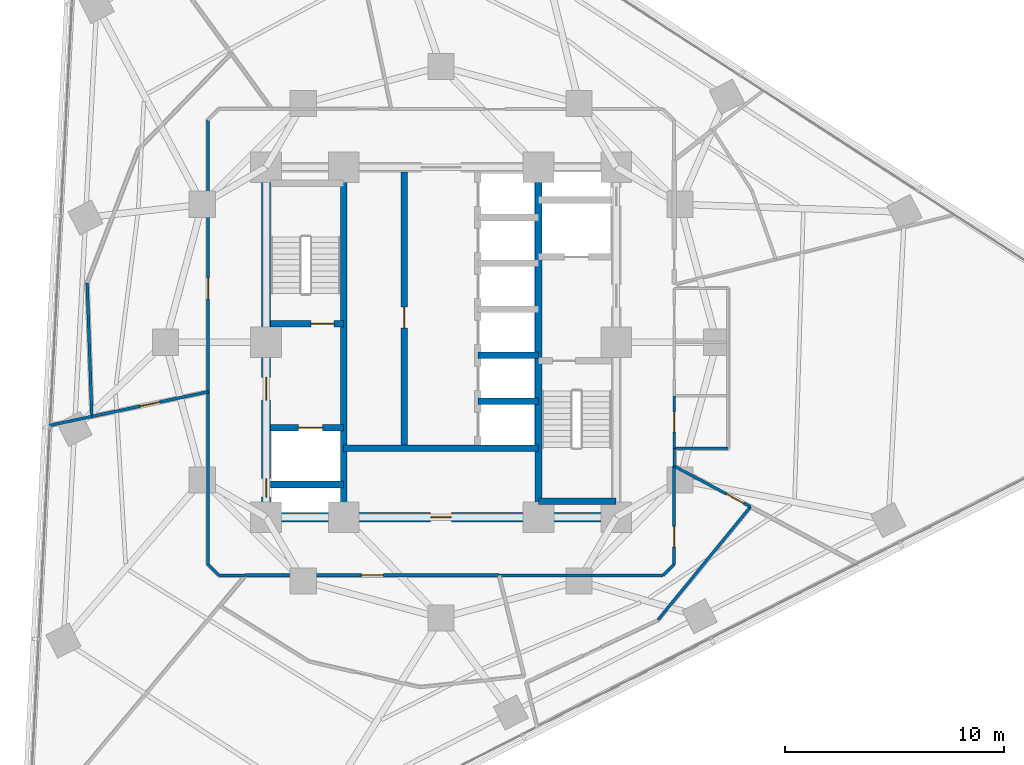
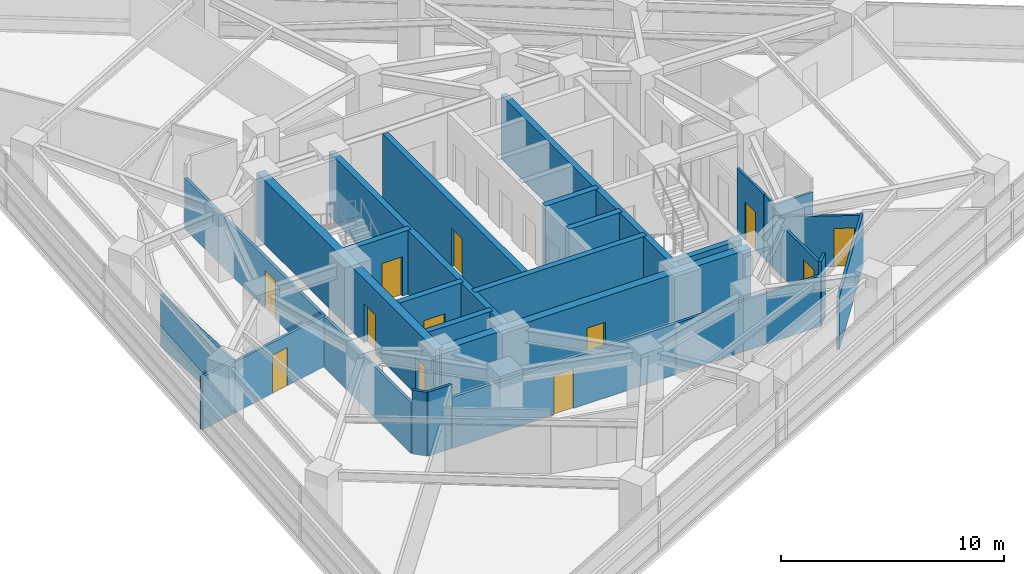
# One storey, part 8 of 14: 28 walls, 12 doors, 12 openings.
"""IFC4 building model written with IfcOpenShell, lengths in metres."""

from ifc_helpers import new_model, si_unit, direction, frame, frame_2d, origin, place, context, subcontext, project, spatial, rectangle, extrude, material, layer, layer_set, type_object, element, fill, save


model = new_model("IFC4")

# Units and contexts
model_context = context("Model", 3, precision=1e-05, world=origin(), true_north=direction((0.0, 1.0)))
body_context = subcontext(model_context, "Body", "Model", "MODEL_VIEW")
ifc_project = project(units=[si_unit("LENGTHUNIT", "METRE"), si_unit("AREAUNIT", "SQUARE_METRE"), si_unit("VOLUMEUNIT", "CUBIC_METRE"), si_unit("PLANEANGLEUNIT", "RADIAN"), si_unit("MASSUNIT", "GRAM", prefix="KILO")], contexts=[model_context])

# Site, building, storey
site_placement = place(None, origin())
site = spatial("IfcSite", under=ifc_project, at=site_placement, CompositionType="ELEMENT")
building_placement = place(site_placement, origin())
building = spatial("IfcBuilding", under=site, at=building_placement, Name="Terralouvre Media Tower", CompositionType="ELEMENT")
storey_placement = place(building_placement, frame((0.0, 0.0, 119.89990234375)))
storey = spatial("IfcBuildingStorey", under=building, at=storey_placement, Name="L30", CompositionType="ELEMENT", Elevation=119.89990234375)

# Walls
ifc_material_1 = material(Name="Concrete C50/60", Category="concrete")
ifc_layer_1 = layer(ifc_material_1, 0.300048828125, Name="Core Internal Shaft Wall CW-300")
ifc_layer_set_1 = layer_set([ifc_layer_1], Name="Concrete C50/60")
wall_type_1 = type_object("IfcWallType", Name="Core Internal Shaft Wall CW-300", PredefinedType="SHEAR", material=ifc_layer_set_1)
for number, where, z_axis, x_axis, name in (
    (1, (-4.449951171875, -7.7900390625, 0.0), (0.0, 0.0, 1.0), (0.0, 1.0, 0.0), "L30 Core Shaft Wall SPW"),
    (2, (4.449951171875, -7.7900390625, 0.0), (0.0, 0.0, 1.0), (0.0, 1.0, 0.0), "L30 Core Shaft Wall SPE"),
):
    element("IfcWall", number, at=place(storey_placement, frame(where, z_axis=z_axis, x_axis=x_axis)), inside=storey, type_object=wall_type_1, Name=name, PredefinedType="SHEAR", context=body_context, shape_type="SweptSolid", body=[
        extrude(rectangle(XDim=15.580078125, YDim=0.300048828125, at=frame_2d((7.7900390625, 0.0))), origin(), (0.0, 0.0, 1.0), 3.5),
    ])

# Wall, opening, door
wall_1_placement = place(storey_placement, frame((-7.7900390625, 0.85009765625, 0.0), z_axis=(0.0, 0.0, 1.0), x_axis=(1.0, 0.0, 0.0)))
wall_1 = element("IfcWall", 3, at=wall_1_placement, inside=storey, type_object=wall_type_1, Name="L30 Core Shaft Wall ST1D", PredefinedType="SHEAR", context=body_context, shape_type="SweptSolid", body=[
    extrude(rectangle(XDim=3.340087890625, YDim=0.300048828125, at=frame_2d((1.669921875, 0.0))), origin(), (0.0, 0.0, 1.0), 3.5),
])
opening_1_placement = place(wall_1_placement, frame((1.85009765625, 0.0, 0.0)))
opening_1 = element("IfcOpeningElement", 4, at=opening_1_placement, cuts=wall_1, Name="Opening FD-01-105X215", PredefinedType="OPENING", context=body_context, shape_type="SweptSolid", body=[
    extrude(rectangle(XDim=1.050048828125, YDim=2.14990234375, at=frame_2d((0.52490234375, 1.074951171875))), frame((0.0, 0.159912109375, 0.0), z_axis=(0.0, -1.0, 0.0), x_axis=(1.0, 0.0, 0.0)), (0.0, 0.0, 1.0), 0.320068359375),
])
ifc_material_2 = material(Name="Galvanised steel fire-resisting leaf", Category="steel")
door_type_1 = type_object("IfcDoorType", Name="Stair and Firefighting Lobby Fire Door FD-01 (1050x2150)", OperationType="NOTDEFINED", PredefinedType="DOOR", material=ifc_material_2)
door_1_placement = place(opening_1_placement, origin())
door_1 = element("IfcDoor", 5, at=door_1_placement, inside=storey, type_object=door_type_1, Name="L30 ST-01 Exit Stair Door", OperationType="SINGLE_SWING_LEFT", OverallHeight=2.14990234375, OverallWidth=1.050048828125, PredefinedType="DOOR", context=body_context, shape_type="SweptSolid", body=[
    extrude(rectangle(XDim=1.050048828125, YDim=2.14990234375, at=frame_2d((0.52490234375, 1.074951171875))), frame((0.0, 0.02490234375, 0.0), z_axis=(0.0, -1.0, 0.0), x_axis=(1.0, 0.0, 0.0)), (0.0, 0.0, 1.0), 0.050048828125),
])
fill(opening_1, door_1)

# Wall
wall_2_placement = place(storey_placement, frame((4.449951171875, -7.260009765625, 0.0), z_axis=(0.0, 0.0, 1.0), x_axis=(1.0, 0.0, 0.0)))
element("IfcWall", 6, at=wall_2_placement, inside=storey, type_object=wall_type_1, Name="L30 Core Shaft Wall ST2F", PredefinedType="SHEAR", context=body_context, shape_type="SweptSolid", body=[
    extrude(rectangle(XDim=3.550048828125, YDim=0.300048828125, at=frame_2d((1.77490234375, 0.0))), origin(), (0.0, 0.0, 1.0), 3.5),
])

# Wall, opening, door
wall_3_placement = place(storey_placement, frame((-7.7900390625, -3.89990234375, 0.0), z_axis=(0.0, 0.0, 1.0), x_axis=(1.0, 0.0, 0.0)))
wall_3 = element("IfcWall", 7, at=wall_3_placement, inside=storey, type_object=wall_type_1, Name="L30 Core Shaft Wall FF1N", PredefinedType="SHEAR", context=body_context, shape_type="SweptSolid", body=[
    extrude(rectangle(XDim=3.340087890625, YDim=0.300048828125, at=frame_2d((1.669921875, 0.0))), origin(), (0.0, 0.0, 1.0), 3.5),
])
opening_2_placement = place(wall_3_placement, frame((1.27001953125, 0.0, 0.0)))
opening_2 = element("IfcOpeningElement", 8, at=opening_2_placement, cuts=wall_3, Name="Opening LD-FF", PredefinedType="OPENING", context=body_context, shape_type="SweptSolid", body=[
    extrude(rectangle(XDim=1.10009765625, YDim=2.10009765625, at=frame_2d((0.550048828125, 1.050048828125))), frame((0.0, 0.159912109375, 0.0), z_axis=(0.0, -1.0, 0.0), x_axis=(1.0, 0.0, 0.0)), (0.0, 0.0, 1.0), 0.320068359375),
])
ifc_material_3 = material(Name="Stainless steel 316 handrail and balustrade", Category="steel")
door_type_2 = type_object("IfcDoorType", Name="Firefighting Lift Sliding Landing Door LD-FF", OperationType="SLIDING_TO_LEFT", PredefinedType="DOOR", material=ifc_material_3)
door_2_placement = place(opening_2_placement, origin())
door_2 = element("IfcDoor", 9, at=door_2_placement, inside=storey, type_object=door_type_2, Name="L30 Firefighting Lift FFL-01 Landing Door", OperationType="SLIDING_TO_LEFT", OverallHeight=2.10009765625, OverallWidth=1.10009765625, PredefinedType="DOOR", context=body_context, shape_type="SweptSolid", body=[
    extrude(rectangle(XDim=1.10009765625, YDim=2.10009765625, at=frame_2d((0.550048828125, 1.050048828125))), frame((0.0, 0.02490234375, 0.0), z_axis=(0.0, -1.0, 0.0), x_axis=(1.0, 0.0, 0.0)), (0.0, 0.0, 1.0), 0.050048828125),
])
fill(opening_2, door_2)

# Walls
wall_4_placement = place(storey_placement, frame((-7.7900390625, -6.5, 0.0), z_axis=(0.0, 0.0, 1.0), x_axis=(1.0, 0.0, 0.0)))
element("IfcWall", 10, at=wall_4_placement, inside=storey, type_object=wall_type_1, Name="L30 Core Shaft Wall FF1S", PredefinedType="SHEAR", context=body_context, shape_type="SweptSolid", body=[
    extrude(rectangle(XDim=3.340087890625, YDim=0.300048828125, at=frame_2d((1.669921875, 0.0))), origin(), (0.0, 0.0, 1.0), 3.5),
])
wall_5_placement = place(storey_placement, frame((-4.449951171875, -4.85009765625, 0.0), z_axis=(0.0, 0.0, 1.0), x_axis=(1.0, 0.0, 0.0)))
element("IfcWall", 11, at=wall_5_placement, inside=storey, type_object=wall_type_1, Name="L30 Core Shaft Wall CSBN", PredefinedType="SHEAR", context=body_context, shape_type="SweptSolid", body=[
    extrude(rectangle(XDim=8.89990234375, YDim=0.300048828125, at=frame_2d((4.449951171875, 0.0))), origin(), (0.0, 0.0, 1.0), 3.5),
])

# Wall, opening, door
wall_6_placement = place(storey_placement, frame((-1.679931640625, -4.85009765625, 0.0), z_axis=(0.0, 0.0, 1.0), x_axis=(0.0, 1.0, 0.0)))
wall_6 = element("IfcWall", 12, at=wall_6_placement, inside=storey, type_object=wall_type_1, Name="L30 Core Shaft Wall LBW", PredefinedType="SHEAR", context=body_context, shape_type="SweptSolid", body=[
    extrude(rectangle(XDim=12.64013671875, YDim=0.300048828125, at=frame_2d((6.320068359375, 0.0))), origin(), (0.0, 0.0, 1.0), 3.5),
])
opening_3_placement = place(wall_6_placement, frame((5.5, 0.0, 0.0)))
opening_3 = element("IfcOpeningElement", 13, at=opening_3_placement, cuts=wall_6, Name="Opening FD-02-95X210", PredefinedType="OPENING", context=body_context, shape_type="SweptSolid", body=[
    extrude(rectangle(XDim=0.949951171875, YDim=2.10009765625, at=frame_2d((0.47509765625, 1.050048828125))), frame((0.0, 0.159912109375, 0.0), z_axis=(0.0, -1.0, 0.0), x_axis=(1.0, 0.0, 0.0)), (0.0, 0.0, 1.0), 0.320068359375),
])
ifc_material_4 = material(Name="Galvanised steel fire-resisting leaf", Category="steel")
door_type_3 = type_object("IfcDoorType", Name="Plant and Riser Fire Door FD-02 (950x2100)", OperationType="NOTDEFINED", PredefinedType="DOOR", material=ifc_material_4)
door_3_placement = place(opening_3_placement, origin())
door_3 = element("IfcDoor", 14, at=door_3_placement, inside=storey, type_object=door_type_3, Name="L30 Low-Zone Hoistway Motor Plant Door", OperationType="SINGLE_SWING_LEFT", OverallHeight=2.10009765625, OverallWidth=0.949951171875, PredefinedType="DOOR", context=body_context, shape_type="SweptSolid", body=[
    extrude(rectangle(XDim=0.949951171875, YDim=2.10009765625, at=frame_2d((0.47509765625, 1.050048828125))), frame((0.0, 0.02490234375, 0.0), z_axis=(0.0, -1.0, 0.0), x_axis=(1.0, 0.0, 0.0)), (0.0, 0.0, 1.0), 0.050048828125),
])
fill(opening_3, door_3)

# Walls
for number, where, z_axis, x_axis, name in (
    (15, (1.679931640625, -2.699951171875, 0.0), (0.0, 0.0, 1.0), (1.0, 0.0, 0.0), "L30 Core Shaft Wall PLHD1"),
    (16, (1.679931640625, -0.60009765625, 0.0), (0.0, 0.0, 1.0), (1.0, 0.0, 0.0), "L30 Core Shaft Wall PLHD2"),
):
    element("IfcWall", number, at=place(storey_placement, frame(where, z_axis=z_axis, x_axis=x_axis)), inside=storey, type_object=wall_type_1, Name=name, PredefinedType="SHEAR", context=body_context, shape_type="SweptSolid", body=[
        extrude(rectangle(XDim=2.77001953125, YDim=0.300048828125, at=frame_2d((1.385009765625, 0.0))), origin(), (0.0, 0.0, 1.0), 3.5),
    ])

# Wall, openings, doors
ifc_material_5 = material(Name="Concrete C60/75", Category="concrete")
ifc_layer_2 = layer(ifc_material_5, 0.419921875, Name="Core Reinforced Concrete Shear Wall CW-420")
ifc_layer_set_2 = layer_set([ifc_layer_2], Name="Concrete C60/75")
wall_type_2 = type_object("IfcWallType", Name="Core Reinforced Concrete Shear Wall CW-420", PredefinedType="SHEAR", material=ifc_layer_set_2)
wall_7_placement = place(storey_placement, frame((-8.0, -8.0, 0.0), z_axis=(0.0, 0.0, 1.0), x_axis=(0.0, 1.0, 0.0)))
wall_7 = element("IfcWall", 17, at=wall_7_placement, inside=storey, type_object=wall_type_2, Name="L30 W Core Shear Wall", PredefinedType="SHEAR", context=body_context, shape_type="SweptSolid", body=[
    extrude(rectangle(XDim=16.0, YDim=0.419921875, at=frame_2d((8.0, 0.0))), origin(), (0.0, 0.0, 1.0), 3.5),
])
opening_4_placement = place(wall_7_placement, frame((0.921630859375, 0.0, 0.0)))
opening_4 = element("IfcOpeningElement", 18, at=opening_4_placement, cuts=wall_7, Name="Opening TD-R1", PredefinedType="OPENING", context=body_context, shape_type="SweptSolid", body=[
    extrude(rectangle(XDim=0.85009765625, YDim=2.02001953125, at=frame_2d((0.425048828125, 1.010009765625))), frame((0.0, 0.219970703125, 0.0), z_axis=(0.0, -1.0, 0.0), x_axis=(1.0, 0.0, 0.0)), (0.0, 0.0, 1.0), 0.43994140625),
])
opening_5_placement = place(wall_7_placement, frame((5.35009765625, 0.0, 0.0)))
opening_5 = element("IfcOpeningElement", 19, at=opening_5_placement, cuts=wall_7, Name="Opening FD-01-105X215", PredefinedType="OPENING", context=body_context, shape_type="SweptSolid", body=[
    extrude(rectangle(XDim=1.050048828125, YDim=2.14990234375, at=frame_2d((0.52490234375, 1.074951171875))), frame((0.0, 0.219970703125, 0.0), z_axis=(0.0, -1.0, 0.0), x_axis=(1.0, 0.0, 0.0)), (0.0, 0.0, 1.0), 0.43994140625),
])
ifc_material_6 = material(Name="Galvanised steel fire-resisting leaf", Category="steel")
door_type_4 = type_object("IfcDoorType", Name="Riser Inspection Access Trapdoor TD-R1", OperationType="NOTDEFINED", PredefinedType="TRAPDOOR", material=ifc_material_6)
door_4_placement = place(opening_4_placement, origin())
door_4 = element("IfcDoor", 20, at=door_4_placement, inside=storey, type_object=door_type_4, Name="L30 Wet Riser Access Trapdoor", OperationType="SINGLE_SWING_LEFT", OverallHeight=2.02001953125, OverallWidth=0.85009765625, PredefinedType="TRAPDOOR", context=body_context, shape_type="SweptSolid", body=[
    extrude(rectangle(XDim=0.85009765625, YDim=2.02001953125, at=frame_2d((0.425048828125, 1.010009765625))), frame((0.0, 0.02490234375, 0.0), z_axis=(0.0, -1.0, 0.0), x_axis=(1.0, 0.0, 0.0)), (0.0, 0.0, 1.0), 0.050048828125),
])
fill(opening_4, door_4)
door_5_placement = place(opening_5_placement, origin())
door_5 = element("IfcDoor", 21, at=door_5_placement, inside=storey, type_object=door_type_1, Name="L30 West Firefighting Lobby Entry Door", OperationType="SINGLE_SWING_RIGHT", OverallHeight=2.14990234375, OverallWidth=1.050048828125, PredefinedType="DOOR", context=body_context, shape_type="SweptSolid", body=[
    extrude(rectangle(XDim=1.050048828125, YDim=2.14990234375, at=frame_2d((0.52490234375, 1.074951171875))), frame((0.0, 0.02490234375, 0.0), z_axis=(0.0, -1.0, 0.0), x_axis=(1.0, 0.0, 0.0)), (0.0, 0.0, 1.0), 0.050048828125),
])
fill(opening_5, door_5)

# Wall, opening, door
wall_8_placement = place(storey_placement, frame((-8.0, -8.0, 0.0), z_axis=(0.0, 0.0, 1.0), x_axis=(1.0, 0.0, 0.0)))
wall_8 = element("IfcWall", 22, at=wall_8_placement, inside=storey, type_object=wall_type_2, Name="L30 S Core Shear Wall", PredefinedType="SHEAR", context=body_context, shape_type="SweptSolid", body=[
    extrude(rectangle(XDim=16.0, YDim=0.419921875, at=frame_2d((8.0, 0.0))), origin(), (0.0, 0.0, 1.0), 3.5),
])
opening_6_placement = place(wall_8_placement, frame((7.52001953125, 0.0, 0.0)))
opening_6 = element("IfcOpeningElement", 23, at=opening_6_placement, cuts=wall_8, Name="Opening FD-02-95X210", PredefinedType="OPENING", context=body_context, shape_type="SweptSolid", body=[
    extrude(rectangle(XDim=0.949951171875, YDim=2.10009765625, at=frame_2d((0.47509765625, 1.050048828125))), frame((0.0, 0.219970703125, 0.0), z_axis=(0.0, -1.0, 0.0), x_axis=(1.0, 0.0, 0.0)), (0.0, 0.0, 1.0), 0.43994140625),
])
door_6_placement = place(opening_6_placement, origin())
door_6 = element("IfcDoor", 24, at=door_6_placement, inside=storey, type_object=door_type_3, Name="L30 Core Switchgear Plant Door", OperationType="SINGLE_SWING_LEFT", OverallHeight=2.10009765625, OverallWidth=0.949951171875, PredefinedType="DOOR", context=body_context, shape_type="SweptSolid", body=[
    extrude(rectangle(XDim=0.949951171875, YDim=2.10009765625, at=frame_2d((0.47509765625, 1.050048828125))), frame((0.0, 0.02490234375, 0.0), z_axis=(0.0, -1.0, 0.0), x_axis=(1.0, 0.0, 0.0)), (0.0, 0.0, 1.0), 0.050048828125),
])
fill(opening_6, door_6)

# Walls
ifc_material_7 = material(Name="Low-iron laminated double glazing with solar-control coating", Category="glass")
ifc_layer_3 = layer(ifc_material_7, 0.10009765625, Name="Demountable Glazed Office Partition PT-GL100")
ifc_layer_set_3 = layer_set([ifc_layer_3], Name="Low-iron laminated double glazing with solar-control coating")
wall_type_3 = type_object("IfcWallType", Name="Demountable Glazed Office Partition PT-GL100", PredefinedType="MOVABLE", material=ifc_layer_set_3)
wall_9_placement = place(storey_placement, frame((10.64990234375, -5.6630859375, 0.0), z_axis=(0.0, 0.0, 1.0), x_axis=(0.0, 1.0, 0.0)))
element("IfcWall", 25, at=wall_9_placement, inside=storey, type_object=wall_type_3, Name="L30 Interior Partition 010", PredefinedType="MOVABLE", context=body_context, shape_type="SweptSolid", body=[
    extrude(rectangle(XDim=0.81298828125, YDim=0.10009765625, at=frame_2d((0.406494140625, 0.0))), origin(), (0.0, 0.0, 1.0), 3.5),
])
ifc_material_8 = material(Name="Fire-rated gypsum board drywall partition")
ifc_layer_4 = layer(ifc_material_8, 0.135009765625, Name="Newsroom Acoustic Partition PT-135")
ifc_layer_set_4 = layer_set([ifc_layer_4], Name="Fire-rated gypsum board drywall partition")
wall_type_4 = type_object("IfcWallType", Name="Newsroom Acoustic Partition PT-135", PredefinedType="PARTITIONING", material=ifc_layer_set_4)
wall_10_placement = place(storey_placement, frame((-10.64990234375, -2.263916015625, 0.0), z_axis=(0.0, 0.0, 1.0), x_axis=(0.0, -1.0, 0.0)))
element("IfcWall", 26, at=wall_10_placement, inside=storey, type_object=wall_type_4, Name="L30 Interior Partition 001", PredefinedType="PARTITIONING", context=body_context, shape_type="SweptSolid", body=[
    extrude(rectangle(XDim=7.885986328125, YDim=0.135009765625, at=frame_2d((3.94287109375, 0.0))), origin(), (0.0, 0.0, 1.0), 2.78515625),
])
wall_11_placement = place(storey_placement, frame((-10.64990234375, -10.14990234375, 0.0), z_axis=(0.0, 0.0, 1.0), x_axis=(0.707106781187, -0.707106781187, 0.0)))
element("IfcWall", 27, at=wall_11_placement, inside=storey, type_object=wall_type_4, Name="L30 Interior Partition 002", PredefinedType="PARTITIONING", context=body_context, shape_type="SweptSolid", body=[
    extrude(rectangle(XDim=0.70703125, YDim=0.135009765625, at=frame_2d((0.353515625, 0.0))), origin(), (0.0, 0.0, 1.0), 3.5),
])
wall_12_placement = place(storey_placement, frame((-10.14990234375, -10.64990234375, 0.0), z_axis=(0.0, 0.0, 1.0), x_axis=(1.0, 0.0, 0.0)))
element("IfcWall", 28, at=wall_12_placement, inside=storey, type_object=wall_type_4, Name="L30 Interior Partition 003", PredefinedType="PARTITIONING", context=body_context, shape_type="SweptSolid", body=[
    extrude(rectangle(XDim=1.2138671875, YDim=0.135009765625, at=frame_2d((0.60693359375, 0.0))), origin(), (0.0, 0.0, 1.0), 3.5),
])
wall_13_placement = place(storey_placement, frame((2.655029296875, -10.64990234375, 0.0), z_axis=(0.0, 0.0, 1.0), x_axis=(1.0, 0.0, 0.0)))
element("IfcWall", 29, at=wall_13_placement, inside=storey, type_object=wall_type_4, Name="L30 Interior Partition 005", PredefinedType="PARTITIONING", context=body_context, shape_type="SweptSolid", body=[
    extrude(rectangle(XDim=7.494873046875, YDim=0.135009765625, at=frame_2d((3.74755859375, 0.0))), origin(), (0.0, 0.0, 1.0), 2.78515625),
])
wall_14_placement = place(storey_placement, frame((10.14990234375, -10.64990234375, 0.0), z_axis=(0.0, 0.0, 1.0), x_axis=(0.707106781187, 0.707106781187, 0.0)))
element("IfcWall", 30, at=wall_14_placement, inside=storey, type_object=wall_type_4, Name="L30 Interior Partition 006", PredefinedType="PARTITIONING", context=body_context, shape_type="SweptSolid", body=[
    extrude(rectangle(XDim=0.70703125, YDim=0.135009765625, at=frame_2d((0.353515625, 0.0))), origin(), (0.0, 0.0, 1.0), 3.5),
])

# Wall, opening, door
wall_15_placement = place(storey_placement, frame((10.64990234375, -10.14990234375, 0.0), z_axis=(0.0, 0.0, 1.0), x_axis=(0.0, 1.0, 0.0)))
wall_15 = element("IfcWall", 31, at=wall_15_placement, inside=storey, type_object=wall_type_4, Name="L30 Interior Partition 007", PredefinedType="PARTITIONING", context=body_context, shape_type="SweptSolid", body=[
    extrude(rectangle(XDim=4.48681640625, YDim=0.135009765625, at=frame_2d((2.243408203125, 0.0))), origin(), (0.0, 0.0, 1.0), 2.78515625),
])
opening_7_placement = place(wall_15_placement, frame((0.781494140625, 0.0, 0.0)))
opening_7 = element("IfcOpeningElement", 32, at=opening_7_placement, cuts=wall_15, Name="Opening ID-02-95X210", PredefinedType="OPENING", context=body_context, shape_type="SweptSolid", body=[
    extrude(rectangle(XDim=0.949951171875, YDim=2.10009765625, at=frame_2d((0.47509765625, 1.050048828125))), frame((0.0, 0.077392578125, 0.0), z_axis=(0.0, -1.0, 0.0), x_axis=(1.0, 0.0, 0.0)), (0.0, 0.0, 1.0), 0.155029296875),
])
ifc_material_9 = material(Name="Engineered hardwood acoustic timber leaf", Category="wood")
door_type_5 = type_object("IfcDoorType", Name="Office and Meeting Room Door ID-02 (950x2100)", OperationType="NOTDEFINED", PredefinedType="DOOR", material=ifc_material_9)
door_7_placement = place(opening_7_placement, origin())
door_7 = element("IfcDoor", 33, at=door_7_placement, inside=storey, type_object=door_type_5, Name="L30 Meteorology Graphics Open Office 4 Door", OperationType="SINGLE_SWING_LEFT", OverallHeight=2.10009765625, OverallWidth=0.949951171875, PredefinedType="DOOR", context=body_context, shape_type="SweptSolid", body=[
    extrude(rectangle(XDim=0.949951171875, YDim=2.10009765625, at=frame_2d((0.47509765625, 1.050048828125))), frame((0.0, 0.02490234375, 0.0), z_axis=(0.0, -1.0, 0.0), x_axis=(1.0, 0.0, 0.0)), (0.0, 0.0, 1.0), 0.050048828125),
])
fill(opening_7, door_7)

wall_16_placement = place(storey_placement, frame((-10.64990234375, 10.14990234375, 0.0), z_axis=(0.0, 0.0, 1.0), x_axis=(0.0, -1.0, 0.0)))
wall_16 = element("IfcWall", 34, at=wall_16_placement, inside=storey, type_object=wall_type_4, Name="L30 Interior Partition 019", PredefinedType="PARTITIONING", context=body_context, shape_type="SweptSolid", body=[
    extrude(rectangle(XDim=12.413818359375, YDim=0.135009765625, at=frame_2d((6.20703125, 0.0))), origin(), (0.0, 0.0, 1.0), 2.78515625),
])
opening_8_placement = place(wall_16_placement, frame((7.2216796875, 0.0, 0.0)))
opening_8 = element("IfcOpeningElement", 35, at=opening_8_placement, cuts=wall_16, Name="Opening ID-02-95X210", PredefinedType="OPENING", context=body_context, shape_type="SweptSolid", body=[
    extrude(rectangle(XDim=0.949951171875, YDim=2.10009765625, at=frame_2d((0.47509765625, 1.050048828125))), frame((0.0, 0.077392578125, 0.0), z_axis=(0.0, -1.0, 0.0), x_axis=(1.0, 0.0, 0.0)), (0.0, 0.0, 1.0), 0.155029296875),
])
door_8_placement = place(opening_8_placement, origin())
door_8 = element("IfcDoor", 36, at=door_8_placement, inside=storey, type_object=door_type_5, Name="L30 Sports Desk Workspace 12 Door", OperationType="SINGLE_SWING_RIGHT", OverallHeight=2.10009765625, OverallWidth=0.949951171875, PredefinedType="DOOR", context=body_context, shape_type="SweptSolid", body=[
    extrude(rectangle(XDim=0.949951171875, YDim=2.10009765625, at=frame_2d((0.47509765625, 1.050048828125))), frame((0.0, 0.02490234375, 0.0), z_axis=(0.0, -1.0, 0.0), x_axis=(1.0, 0.0, 0.0)), (0.0, 0.0, 1.0), 0.050048828125),
])
fill(opening_8, door_8)

# Wall
wall_17_placement = place(storey_placement, frame((-15.9619140625, -3.39306640625, 0.0), z_axis=(0.0, 0.0, 1.0), x_axis=(-0.978224349737, -0.207550286874, 0.0)))
element("IfcWall", 37, at=wall_17_placement, inside=storey, type_object=wall_type_4, Name="L30 Interior Partition 022", PredefinedType="PARTITIONING", context=body_context, shape_type="SweptSolid", body=[
    extrude(rectangle(XDim=1.997314453125, YDim=0.135009765625, at=frame_2d((0.99853515625, 0.0))), origin(), (0.0, 0.0, 1.0), 2.885009765625),
])

# Wall, opening, door
wall_18_placement = place(storey_placement, frame((-10.64990234375, -2.263916015625, 0.0), z_axis=(0.0, 0.0, 1.0), x_axis=(-0.978145824013, -0.207920049456, 0.0)))
wall_18 = element("IfcWall", 38, at=wall_18_placement, inside=storey, type_object=wall_type_4, Name="L30 Interior Partition 023", PredefinedType="PARTITIONING", context=body_context, shape_type="SweptSolid", body=[
    extrude(rectangle(XDim=5.4306640625, YDim=0.135009765625, at=frame_2d((2.71533203125, 0.0))), origin(), (0.0, 0.0, 1.0), 2.78515625),
])
opening_9_placement = place(wall_18_placement, frame((2.25537109375, 0.0, 0.0)))
opening_9 = element("IfcOpeningElement", 39, at=opening_9_placement, cuts=wall_18, Name="Opening ID-03-92X210", PredefinedType="OPENING", context=body_context, shape_type="SweptSolid", body=[
    extrude(rectangle(XDim=0.919921875, YDim=2.10009765625, at=frame_2d((0.4599609375, 1.050048828125))), frame((0.0, 0.077392578125, 0.0), z_axis=(0.0, -1.0, 0.0), x_axis=(1.0, 0.0, 0.0)), (0.0, 0.0, 1.0), 0.155029296875),
])
ifc_material_10 = material(Name="Engineered hardwood acoustic timber leaf", Category="wood")
door_type_6 = type_object("IfcDoorType", Name="Accessible Restroom and Suite Door ID-03 (920x2100)", OperationType="NOTDEFINED", PredefinedType="DOOR", material=ifc_material_10)
door_9_placement = place(opening_9_placement, origin())
door_9 = element("IfcDoor", 40, at=door_9_placement, inside=storey, type_object=door_type_6, Name="L30 OB Coordination Crew Room 1 Door", OperationType="SINGLE_SWING_LEFT", OverallHeight=2.10009765625, OverallWidth=0.919921875, PredefinedType="DOOR", context=body_context, shape_type="SweptSolid", body=[
    extrude(rectangle(XDim=0.919921875, YDim=2.10009765625, at=frame_2d((0.4599609375, 1.050048828125))), frame((0.0, 0.02490234375, 0.0), z_axis=(0.0, -1.0, 0.0), x_axis=(1.0, 0.0, 0.0)), (0.0, 0.0, 1.0), 0.050048828125),
])
fill(opening_9, door_9)

# Wall
wall_19_placement = place(storey_placement, frame((9.912109375, -12.68701171875, 0.0), z_axis=(0.0, 0.0, 1.0), x_axis=(0.632781686385, 0.774330250846, 0.0)))
element("IfcWall", 41, at=wall_19_placement, inside=storey, type_object=wall_type_4, Name="L30 Interior Partition 030", PredefinedType="PARTITIONING", context=body_context, shape_type="SweptSolid", body=[
    extrude(rectangle(XDim=6.6767578125, YDim=0.135009765625, at=frame_2d((3.33837890625, 0.0))), origin(), (0.0, 0.0, 1.0), 2.885009765625),
])

# Wall, opening, door
wall_20_placement = place(storey_placement, frame((14.136962890625, -7.51708984375, 0.0), z_axis=(0.0, 0.0, 1.0), x_axis=(-0.882957991608, 0.46945200506, 0.0)))
wall_20 = element("IfcWall", 42, at=wall_20_placement, inside=storey, type_object=wall_type_4, Name="L30 Interior Partition 031", PredefinedType="PARTITIONING", context=body_context, shape_type="SweptSolid", body=[
    extrude(rectangle(XDim=3.94921875, YDim=0.135009765625, at=frame_2d((1.974609375, 0.0))), origin(), (0.0, 0.0, 1.0), 2.78515625),
])
opening_10_placement = place(wall_20_placement, frame((0.329833984375, 0.0, 0.0)))
opening_10 = element("IfcOpeningElement", 43, at=opening_10_placement, cuts=wall_20, Name="Opening ID-03-92X210", PredefinedType="OPENING", context=body_context, shape_type="SweptSolid", body=[
    extrude(rectangle(XDim=0.919921875, YDim=2.10009765625, at=frame_2d((0.4599609375, 1.050048828125))), frame((0.0, 0.077392578125, 0.0), z_axis=(0.0, -1.0, 0.0), x_axis=(1.0, 0.0, 0.0)), (0.0, 0.0, 1.0), 0.155029296875),
])
door_10_placement = place(opening_10_placement, origin())
door_10 = element("IfcDoor", 44, at=door_10_placement, inside=storey, type_object=door_type_6, Name="L30 Event Planning Conference Room 6 Door", OperationType="SINGLE_SWING_RIGHT", OverallHeight=2.10009765625, OverallWidth=0.919921875, PredefinedType="DOOR", context=body_context, shape_type="SweptSolid", body=[
    extrude(rectangle(XDim=0.919921875, YDim=2.10009765625, at=frame_2d((0.4599609375, 1.050048828125))), frame((0.0, 0.02490234375, 0.0), z_axis=(0.0, -1.0, 0.0), x_axis=(1.0, 0.0, 0.0)), (0.0, 0.0, 1.0), 0.050048828125),
])
fill(opening_10, door_10)

# Wall
wall_21_placement = place(storey_placement, frame((-15.9619140625, -3.39306640625, 0.0), z_axis=(0.0, 0.0, 1.0), x_axis=(-0.034918259019, 0.999390171648, 0.0)))
element("IfcWall", 45, at=wall_21_placement, inside=storey, type_object=wall_type_4, Name="L30 Interior Partition 049", PredefinedType="PARTITIONING", context=body_context, shape_type="SweptSolid", body=[
    extrude(rectangle(XDim=6.103759765625, YDim=0.135009765625, at=frame_2d((3.0517578125, 0.0))), origin(), (0.0, 0.0, 1.0), 2.885009765625),
])

# Wall, opening, door
ifc_material_11 = material(Name="Fire-rated gypsum board drywall partition")
ifc_layer_5 = layer(ifc_material_11, 0.114990234375, Name="Restroom and Pantry Partition PT-115")
ifc_layer_set_5 = layer_set([ifc_layer_5], Name="Fire-rated gypsum board drywall partition")
wall_type_5 = type_object("IfcWallType", Name="Restroom and Pantry Partition PT-115", PredefinedType="PARTITIONING", material=ifc_layer_set_5)
wall_22_placement = place(storey_placement, frame((10.64990234375, -4.85009765625, 0.0), z_axis=(0.0, 0.0, 1.0), x_axis=(0.0, 1.0, 0.0)))
wall_22 = element("IfcWall", 46, at=wall_22_placement, inside=storey, type_object=wall_type_5, Name="L30 Interior Partition 008", PredefinedType="PARTITIONING", context=body_context, shape_type="SweptSolid", body=[
    extrude(rectangle(XDim=2.400146484375, YDim=0.114990234375, at=frame_2d((1.2001953125, 0.0))), origin(), (0.0, 0.0, 1.0), 3.5),
])
opening_11_placement = place(wall_22_placement, frame((0.739990234375, 0.0, 0.0)))
opening_11 = element("IfcOpeningElement", 47, at=opening_11_placement, cuts=wall_22, Name="Opening ID-03-92X210", PredefinedType="OPENING", context=body_context, shape_type="SweptSolid", body=[
    extrude(rectangle(XDim=0.919921875, YDim=2.10009765625, at=frame_2d((0.4599609375, 1.050048828125))), frame((0.0, 0.0673828125, 0.0), z_axis=(0.0, -1.0, 0.0), x_axis=(1.0, 0.0, 0.0)), (0.0, 0.0, 1.0), 0.135009765625),
])
door_11_placement = place(opening_11_placement, origin())
door_11 = element("IfcDoor", 48, at=door_11_placement, inside=storey, type_object=door_type_6, Name="L30 Male Restroom WC Door", OperationType="SINGLE_SWING_RIGHT", OverallHeight=2.10009765625, OverallWidth=0.919921875, PredefinedType="DOOR", context=body_context, shape_type="SweptSolid", body=[
    extrude(rectangle(XDim=0.919921875, YDim=2.10009765625, at=frame_2d((0.4599609375, 1.050048828125))), frame((0.0, 0.02490234375, 0.0), z_axis=(0.0, -1.0, 0.0), x_axis=(1.0, 0.0, 0.0)), (0.0, 0.0, 1.0), 0.050048828125),
])
fill(opening_11, door_11)

# Wall
wall_23_placement = place(storey_placement, frame((10.64990234375, -4.85009765625, 0.0), z_axis=(0.0, 0.0, 1.0), x_axis=(1.0, 0.0, 0.0)))
element("IfcWall", 49, at=wall_23_placement, inside=storey, type_object=wall_type_5, Name="L30 Interior Partition 034", PredefinedType="PARTITIONING", context=body_context, shape_type="SweptSolid", body=[
    extrude(rectangle(XDim=2.4501953125, YDim=0.114990234375, at=frame_2d((1.22509765625, 0.0))), origin(), (0.0, 0.0, 1.0), 2.78515625),
])

# Wall, opening, door
ifc_material_12 = material(Name="Fire-rated gypsum board drywall partition")
ifc_layer_6 = layer(ifc_material_12, 0.159912109375, Name="Studio Acoustic Rated Partition PT-160")
ifc_layer_set_6 = layer_set([ifc_layer_6], Name="Fire-rated gypsum board drywall partition")
wall_type_6 = type_object("IfcWallType", Name="Studio Acoustic Rated Partition PT-160", PredefinedType="PARTITIONING", material=ifc_layer_set_6)
wall_24_placement = place(storey_placement, frame((-8.93603515625, -10.64990234375, 0.0), z_axis=(0.0, 0.0, 1.0), x_axis=(1.0, 0.0, 0.0)))
wall_24 = element("IfcWall", 50, at=wall_24_placement, inside=storey, type_object=wall_type_6, Name="L30 Interior Partition 004", PredefinedType="PARTITIONING", context=body_context, shape_type="SweptSolid", body=[
    extrude(rectangle(XDim=11.591064453125, YDim=0.159912109375, at=frame_2d((5.79541015625, 0.0))), origin(), (0.0, 0.0, 1.0), 2.78515625),
])
opening_12_placement = place(wall_24_placement, frame((5.29541015625, 0.0, 0.0)))
opening_12 = element("IfcOpeningElement", 51, at=opening_12_placement, cuts=wall_24, Name="Opening ID-01-100X215", PredefinedType="OPENING", context=body_context, shape_type="SweptSolid", body=[
    extrude(rectangle(XDim=1.0, YDim=2.14990234375, at=frame_2d((0.5, 1.074951171875))), frame((0.0, 0.08984375, 0.0), z_axis=(0.0, -1.0, 0.0), x_axis=(1.0, 0.0, 0.0)), (0.0, 0.0, 1.0), 0.179931640625),
])
ifc_material_13 = material(Name="Engineered hardwood acoustic timber leaf", Category="wood")
door_type_7 = type_object("IfcDoorType", Name="Broadcast Studio Acoustic Single Door ID-01 (1000x2150)", OperationType="NOTDEFINED", PredefinedType="DOOR", material=ifc_material_13)
door_12_placement = place(opening_12_placement, origin())
door_12 = element("IfcDoor", 52, at=door_12_placement, inside=storey, type_object=door_type_7, Name="L30 Sports Commentary Control Room 3 Door", OperationType="SINGLE_SWING_RIGHT", OverallHeight=2.14990234375, OverallWidth=1.0, PredefinedType="DOOR", context=body_context, shape_type="SweptSolid", body=[
    extrude(rectangle(XDim=1.0, YDim=2.14990234375, at=frame_2d((0.5, 1.074951171875))), frame((0.0, 0.02490234375, 0.0), z_axis=(0.0, -1.0, 0.0), x_axis=(1.0, 0.0, 0.0)), (0.0, 0.0, 1.0), 0.050048828125),
])
fill(opening_12, door_12)

save(model, "model.ifc")
